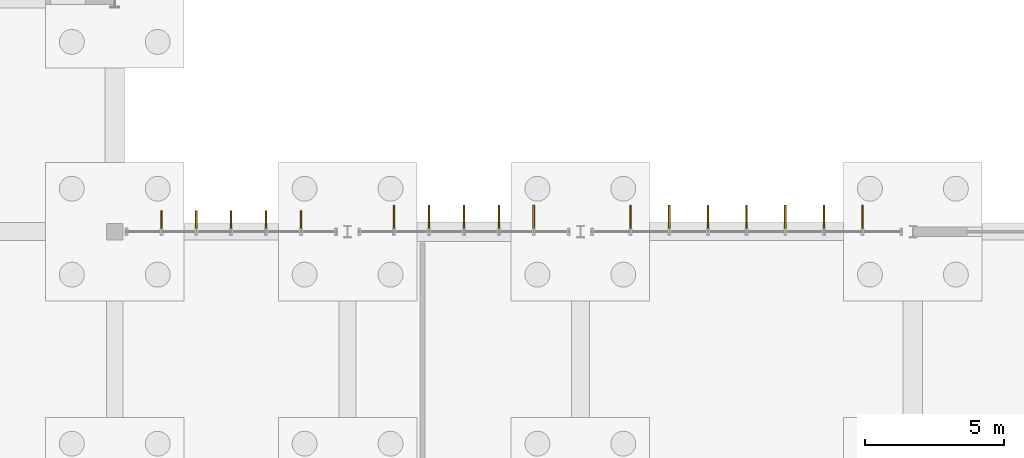
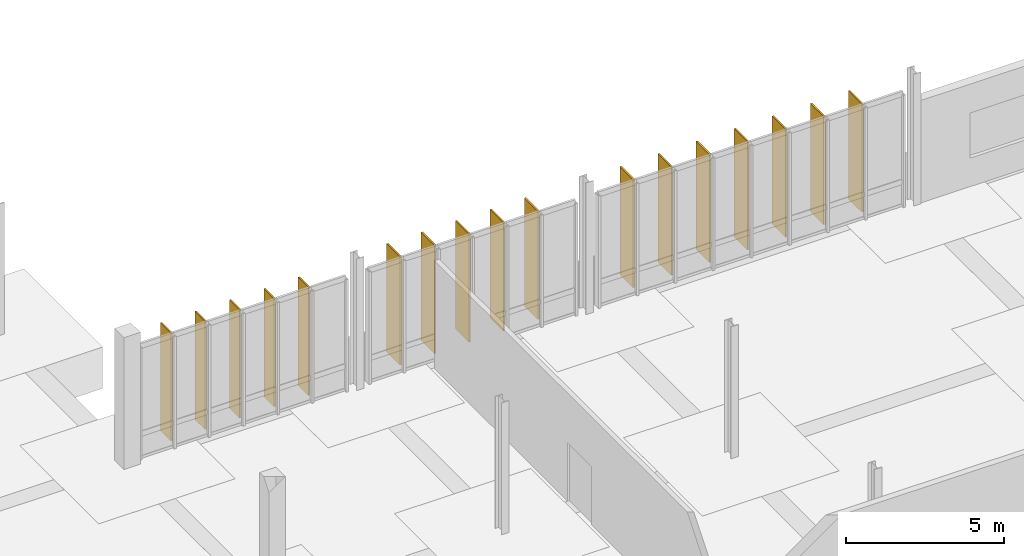
# One storey, part 118 of 119: 17 shading devices.
"""IFC4 building model written with IfcOpenShell, lengths in metres."""

from ifc_helpers import new_model, si_unit, derived_unit, direction, frame, origin, origin_2d, place, context, subcontext, project, spatial, rectangle, extrude, material, layer, layer_set, type_object, element, save


model = new_model("IFC4")

# Units and contexts
model_context = context("Model", 3, precision=1e-05, world=origin(), true_north=direction((0.0, 1.0)))
body_context = subcontext(model_context, "Body", "Model", "MODEL_VIEW")
ifc_project = project(units=[si_unit("LENGTHUNIT", "METRE"), si_unit("AREAUNIT", "SQUARE_METRE"), si_unit("VOLUMEUNIT", "CUBIC_METRE"), si_unit("PLANEANGLEUNIT", "RADIAN"), si_unit("MASSUNIT", "GRAM", prefix="KILO"), derived_unit("THERMALTRANSMITTANCEUNIT", [(si_unit("MASSUNIT", "GRAM", prefix="KILO"), 1), (si_unit("TIMEUNIT", "SECOND"), -3), (si_unit("THERMODYNAMICTEMPERATUREUNIT", "KELVIN"), -1)])], contexts=[model_context])

# Site, building, storey
site_placement = place(None, origin())
site = spatial("IfcSite", under=ifc_project, at=site_placement, CompositionType="ELEMENT")
building_placement = place(site_placement, origin())
building = spatial("IfcBuilding", under=site, at=building_placement, Name="Makaiwela Harbour Ferry Terminal", CompositionType="ELEMENT")
storey_placement = place(building_placement, origin())
storey = spatial("IfcBuildingStorey", under=building, at=storey_placement, Name="L00", CompositionType="ELEMENT", Elevation=0.0)

# Shading devices
ifc_material_1 = material(Name="Marine anodised aluminium 6063-T6", Category="aluminium")
ifc_layer_1 = layer(ifc_material_1, 0.054931640625)
ifc_layer_set_1 = layer_set([ifc_layer_1], Name="Marine anodised aluminium 6063-T6")
shading_device_type_1 = type_object("IfcShadingDeviceType", Name="ENV-FIN-650", PredefinedType="USERDEFINED", material=ifc_layer_set_1)
for number, where, z_axis, x_axis, name in (
    (1, (140.280029296875, 95.43798828125, 0.1669921875), (0.0, 0.0, 1.0), (0.0, 1.0, 0.0), "Vertical Solar Fin SFN-0438"),
    (2, (141.5400390625, 95.43798828125, 0.1669921875), (0.0, 0.0, 1.0), (0.0, 1.0, 0.0), "Vertical Solar Fin SFN-0439"),
    (3, (142.800048828125, 95.43798828125, 0.1669921875), (0.0, 0.0, 1.0), (0.0, 1.0, 0.0), "Vertical Solar Fin SFN-0440"),
    (4, (144.06005859375, 95.43798828125, 0.1669921875), (0.0, 0.0, 1.0), (0.0, 1.0, 0.0), "Vertical Solar Fin SFN-0441"),
    (5, (145.320068359375, 95.43798828125, 0.1669921875), (0.0, 0.0, 1.0), (0.0, 1.0, 0.0), "Vertical Solar Fin SFN-0442"),
):
    element("IfcShadingDevice", number, at=place(storey_placement, frame(where, z_axis=z_axis, x_axis=x_axis)), inside=storey, type_object=shading_device_type_1, Name=name, ObjectType="SOLAR FIN", PredefinedType="USERDEFINED", context=body_context, shape_type="SweptSolid", body=[
        extrude(rectangle(XDim=0.64990234375, YDim=0.054931640625, at=origin_2d()), origin(), (0.0, 0.0, 1.0), 4.18994140625),
    ])
ifc_material_2 = material(Name="Thermally modified Accoya timber and anodised aluminium", Category="wood")
ifc_layer_2 = layer(ifc_material_2, 0.06005859375)
ifc_layer_set_2 = layer_set([ifc_layer_2], Name="Thermally modified Accoya timber and anodised aluminium")
shading_device_type_2 = type_object("IfcShadingDeviceType", Name="ENV-FIN-850", PredefinedType="USERDEFINED", material=ifc_layer_set_2)
for number, where, z_axis, x_axis, name in (
    (6, (148.679931640625, 95.5380859375, 0.1669921875), (0.0, 0.0, 1.0), (0.0, 1.0, 0.0), "Vertical Solar Fin SFN-0458"),
    (7, (149.93994140625, 95.5380859375, 0.1669921875), (0.0, 0.0, 1.0), (0.0, 1.0, 0.0), "Vertical Solar Fin SFN-0459"),
    (8, (151.199951171875, 95.5380859375, 0.1669921875), (0.0, 0.0, 1.0), (0.0, 1.0, 0.0), "Vertical Solar Fin SFN-0460"),
    (9, (152.4599609375, 95.5380859375, 0.1669921875), (0.0, 0.0, 1.0), (0.0, 1.0, 0.0), "Vertical Solar Fin SFN-0461"),
    (10, (153.719970703125, 95.5380859375, 0.1669921875), (0.0, 0.0, 1.0), (0.0, 1.0, 0.0), "Vertical Solar Fin SFN-0462"),
    (11, (157.215087890625, 95.5380859375, 0.1669921875), (0.0, 0.0, 1.0), (0.0, 1.0, 0.0), "Vertical Solar Fin SFN-0478"),
    (12, (158.610107421875, 95.5380859375, 0.1669921875), (0.0, 0.0, 1.0), (0.0, 1.0, 0.0), "Vertical Solar Fin SFN-0479"),
    (13, (160.0048828125, 95.5380859375, 0.1669921875), (0.0, 0.0, 1.0), (0.0, 1.0, 0.0), "Vertical Solar Fin SFN-0480"),
    (14, (161.39990234375, 95.5380859375, 0.1669921875), (0.0, 0.0, 1.0), (0.0, 1.0, 0.0), "Vertical Solar Fin SFN-0481"),
    (15, (162.794921875, 95.5380859375, 0.1669921875), (0.0, 0.0, 1.0), (0.0, 1.0, 0.0), "Vertical Solar Fin SFN-0482"),
    (16, (164.18994140625, 95.5380859375, 0.1669921875), (0.0, 0.0, 1.0), (0.0, 1.0, 0.0), "Vertical Solar Fin SFN-0483"),
    (17, (165.5849609375, 95.5380859375, 0.1669921875), (0.0, 0.0, 1.0), (0.0, 1.0, 0.0), "Vertical Solar Fin SFN-0484"),
):
    element("IfcShadingDevice", number, at=place(storey_placement, frame(where, z_axis=z_axis, x_axis=x_axis)), inside=storey, type_object=shading_device_type_2, Name=name, ObjectType="SOLAR FIN", PredefinedType="USERDEFINED", context=body_context, shape_type="SweptSolid", body=[
        extrude(rectangle(XDim=0.85009765625, YDim=0.06005859375, at=origin_2d()), origin(), (0.0, 0.0, 1.0), 4.18994140625),
    ])

save(model, "model.ifc")
